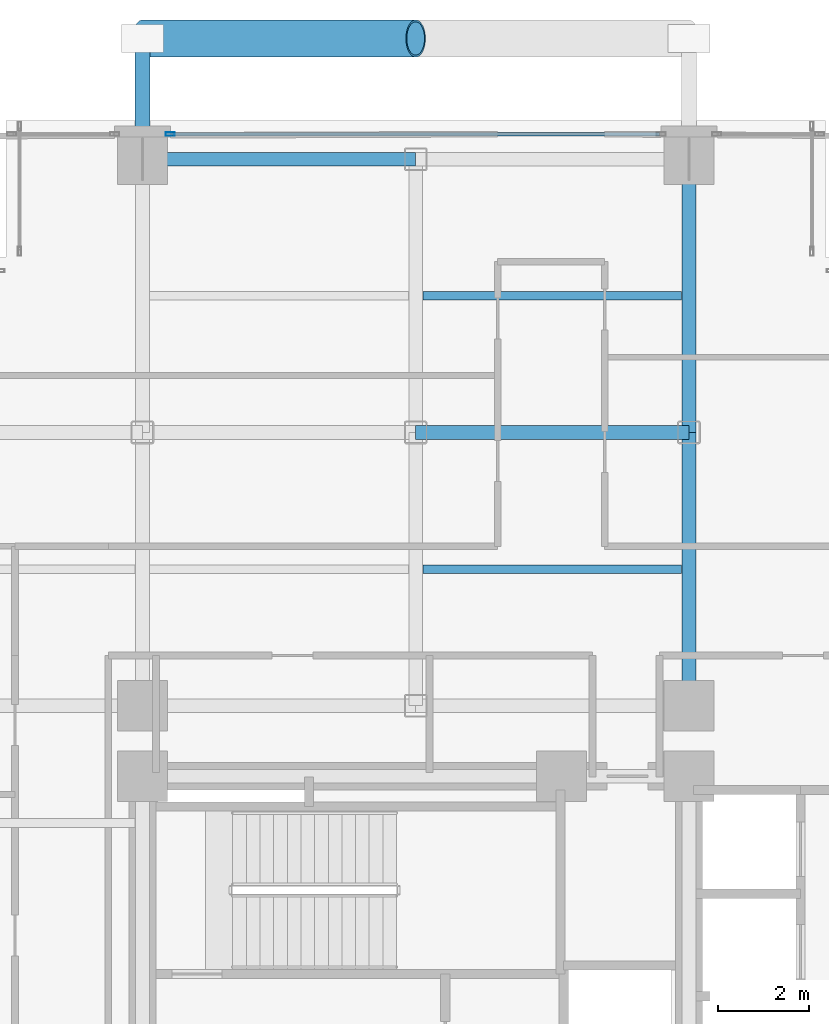
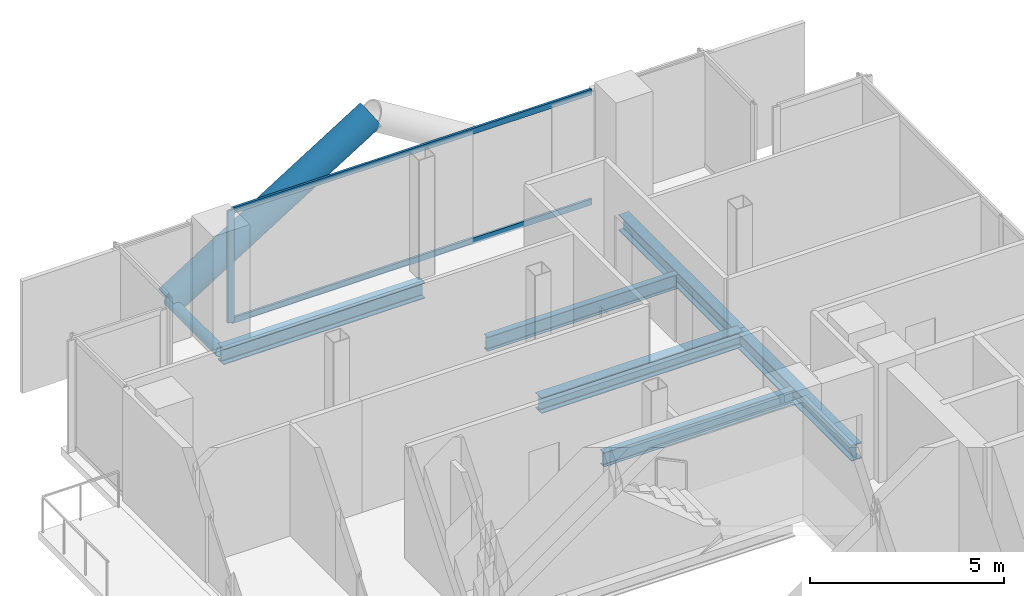
# One storey, part 16 of 28: 6 beams, 5 members, 1 element without a shape of its own.
"""IFC4 building model written with IfcOpenShell, lengths in metres."""

from ifc_helpers import new_model, si_unit, direction, frame, origin, origin_2d, place, context, subcontext, project, spatial, hollow_rectangle, hollow_circle, i_section, extrude, material, layer, layer_set, material_profile, profile_set, type_object, element, aggregate, save


model = new_model("IFC4")

# Units and contexts
model_context = context("Model", 3, precision=1e-05, world=origin(), true_north=direction((0.0, 1.0)))
body_context = subcontext(model_context, "Body", "Model", "MODEL_VIEW")
ifc_project = project(units=[si_unit("LENGTHUNIT", "METRE"), si_unit("AREAUNIT", "SQUARE_METRE"), si_unit("VOLUMEUNIT", "CUBIC_METRE"), si_unit("PLANEANGLEUNIT", "RADIAN"), si_unit("MASSUNIT", "GRAM", prefix="KILO"), si_unit("THERMODYNAMICTEMPERATUREUNIT", "KELVIN"), si_unit("POWERUNIT", "WATT")], contexts=[model_context])

# Site, building, storey
site_placement = place(None, origin())
site = spatial("IfcSite", under=ifc_project, at=site_placement, CompositionType="ELEMENT")
building_placement = place(site_placement, origin())
building = spatial("IfcBuilding", under=site, at=building_placement, Name="Svarakhadi Broadcast Tower", CompositionType="ELEMENT")
storey_placement = place(building_placement, frame((0.0, 0.0, 103.35009765625)))
storey = spatial("IfcBuildingStorey", under=building, at=storey_placement, Name="L24", CompositionType="ELEMENT", Elevation=103.35009765625)

# Beams
ifc_material_1 = material(Name="Steel S355J2 (IS 2062 E350C)", Category="steel")
ifc_material_profile_1 = material_profile(ifc_material_1, i_section(OverallWidth=0.18994140625, OverallDepth=0.449951171875, WebThickness=0.009521484375, FlangeThickness=0.0146484375, FilletRadius=0.02099609375, at=origin_2d()), Name="NPB 450x190x78")
ifc_profile_set_1 = profile_set([ifc_material_profile_1], Name="Steel S355J2 (IS 2062 E350C)")
beam_type_1 = type_object("IfcBeamType", Name="Beam_NPB450", PredefinedType="BEAM", material=ifc_profile_set_1)
for number, where, z_axis, x_axis, name in (
    (1, (12.159912109375, 32.14990234375, -0.4501953125), (1.0, 0.0, 0.0), (0.0, 1.0, 0.0), "L24 Secondary Composite Beam SB014"),
    (2, (12.159912109375, 38.14990234375, -0.4501953125), (1.0, 0.0, 0.0), (0.0, 1.0, 0.0), "L24 Secondary Composite Beam SB015"),
):
    element("IfcBeam", number, at=place(storey_placement, frame(where, z_axis=z_axis, x_axis=x_axis)), inside=storey, type_object=beam_type_1, Name=name, PredefinedType="BEAM", context=body_context, shape_type="SweptSolid", body=[
        extrude(i_section(OverallWidth=0.18994140625, OverallDepth=0.449951171875, WebThickness=0.009521484375, FlangeThickness=0.0146484375, FilletRadius=0.02099609375, at=origin_2d()), origin(), (0.0, 0.0, 1.0), 5.68017578125),
    ])

# Curtain wall, members
ifc_material_2 = material(Name="Anodised Bronze Aluminium AA 6063-T6", Category="aluminium")
ifc_layer = layer(ifc_material_2, 0.199951171875)
ifc_layer_set = layer_set([ifc_layer], Name="Anodised Bronze Aluminium AA 6063-T6")
curtain_wall_type = type_object("IfcCurtainWallType", Name="CW_Sys_03", PredefinedType="NOTDEFINED", material=ifc_layer_set)
curtain_wall_placement = place(storey_placement, origin())
curtain_wall = element("IfcCurtainWall", 3, at=curtain_wall_placement, inside=storey, type_object=curtain_wall_type, Name="L24 Unitised Facade Curtain Wall 06 Bay 2", PredefinedType="NOTDEFINED")
ifc_material_profile_2 = material_profile(ifc_material_2, hollow_rectangle(XDim=0.074951171875, YDim=0.199951171875, WallThickness=0.005615234375, at=origin_2d()), Name="ALU MULLION 200x75x6")
ifc_profile_set_2 = profile_set([ifc_material_profile_2], Name="Anodised Bronze Aluminium AA 6063-T6")
member_type_1 = type_object("IfcMemberType", Name="CW_Sys_03_Mul", PredefinedType="MULLION", material=ifc_profile_set_2)
member_1_placement = place(storey_placement, frame((6.607421875, 41.699951171875, 0.0), z_axis=(0.0, 0.0, 1.0), x_axis=(0.0, 1.0, 0.0)))
member_1 = element("IfcMember", 4, at=member_1_placement, type_object=member_type_1, Name="CW-03 mullion 1", PredefinedType="MULLION", context=body_context, shape_type="SweptSolid", body=[
    extrude(hollow_rectangle(XDim=0.074951171875, YDim=0.199951171875, WallThickness=0.005615234375, at=origin_2d()), origin(), (0.0, 0.0, 1.0), 3.52490234375),
])
ifc_material_profile_3 = material_profile(ifc_material_2, hollow_rectangle(XDim=0.070068359375, YDim=0.18505859375, WallThickness=0.0048828125, at=origin_2d()), Name="ALU TRANSOM 185x70x5")
ifc_profile_set_3 = profile_set([ifc_material_profile_3], Name="Anodised Bronze Aluminium AA 6063-T6")
member_type_2 = type_object("IfcMemberType", Name="CW_Sys_03_Trn", PredefinedType="USERDEFINED", material=ifc_profile_set_3)
member_2_placement = place(storey_placement, frame((6.64501953125, 41.699951171875, 0.034912109375), z_axis=(1.0, 0.0, 0.0), x_axis=(0.0, 1.0, 0.0)))
member_2 = element("IfcMember", 5, at=member_2_placement, type_object=member_type_2, Name="CW-03 transom 1.1", ObjectType="TRANSOM", PredefinedType="USERDEFINED", context=body_context, shape_type="SweptSolid", body=[
    extrude(hollow_rectangle(XDim=0.070068359375, YDim=0.18505859375, WallThickness=0.0048828125, at=origin_2d()), origin(), (0.0, 0.0, 1.0), 10.7099609375),
])
member_3_placement = place(storey_placement, frame((6.64501953125, 41.699951171875, 3.489990234375), z_axis=(1.0, 0.0, 0.0), x_axis=(0.0, 1.0, 0.0)))
member_3 = element("IfcMember", 6, at=member_3_placement, type_object=member_type_2, Name="CW-03 transom 1.2", ObjectType="TRANSOM", PredefinedType="USERDEFINED", context=body_context, shape_type="SweptSolid", body=[
    extrude(hollow_rectangle(XDim=0.070068359375, YDim=0.18505859375, WallThickness=0.0048828125, at=origin_2d()), origin(), (0.0, 0.0, 1.0), 10.7099609375),
])
aggregate(curtain_wall, [member_1, member_2, member_3])

# Members
ifc_material_3 = material(Name="Steel S460ML (IS 2062 E450BR)", Category="steel")
ifc_material_profile_4 = material_profile(ifc_material_3, hollow_circle(Radius=0.406494140625, WallThickness=0.0400390625, at=origin_2d()), Name="CHS 813x40")
ifc_profile_set_4 = profile_set([ifc_material_profile_4], Name="Steel S460ML (IS 2062 E450BR)")
member_type_3 = type_object("IfcMemberType", Name="Exo_Brace_CHS813", PredefinedType="BRACE", material=ifc_profile_set_4)
member_4_placement = place(storey_placement, frame((6.0, 43.800048828125, -0.386962890625), z_axis=(0.847998304005, 0.0, 0.529998940003), x_axis=(0.0, 1.0, 0.0)))
element("IfcMember", 7, at=member_4_placement, inside=storey, type_object=member_type_3, Name="L24 Exposed Bronze Exoskeleton Diagonal N10", PredefinedType="BRACE", context=body_context, shape_type="SweptSolid", body=[
    extrude(hollow_circle(Radius=0.406494140625, WallThickness=0.0400390625, at=origin_2d()), origin(), (0.0, 0.0, 1.0), 7.075439453125),
])
ifc_material_profile_5 = material_profile(ifc_material_3, hollow_circle(Radius=0.161865234375, WallThickness=0.01611328125, at=origin_2d()), Name="CHS 323.9x16")
ifc_profile_set_5 = profile_set([ifc_material_profile_5], Name="Steel S460ML (IS 2062 E450BR)")
member_type_4 = type_object("IfcMemberType", Name="Exo_Radial_Strut_Z2", PredefinedType="STRUT", material=ifc_profile_set_5)
member_5_placement = place(storey_placement, frame((6.0, 43.800048828125, -0.386962890625), z_axis=(0.0, -1.0, 0.0), x_axis=(1.0, 0.0, 0.0)))
element("IfcMember", 8, at=member_5_placement, inside=storey, type_object=member_type_4, Name="L24 Exoskeleton Radial Tie Strut N10", PredefinedType="STRUT", context=body_context, shape_type="SweptSolid", body=[
    extrude(hollow_circle(Radius=0.161865234375, WallThickness=0.01611328125, at=origin_2d()), origin(), (0.0, 0.0, 1.0), 2.650146484375),
])

# Beams
ifc_material_profile_6 = material_profile(ifc_material_1, i_section(OverallWidth=0.300048828125, OverallDepth=0.5, WebThickness=0.014404296875, FlangeThickness=0.028076171875, FilletRadius=0.027099609375, at=origin_2d()), Name="WPB 500x300x187")
ifc_profile_set_6 = profile_set([ifc_material_profile_6], Name="Steel S355J2 (IS 2062 E350C)")
beam_type_2 = type_object("IfcBeamType", Name="Girder_WPB500", PredefinedType="USERDEFINED", material=ifc_profile_set_6)
for number, where, z_axis, x_axis, name in (
    (9, (12.0, 35.14990234375, -0.47509765625), (1.0, 0.0, 0.0), (0.0, 1.0, 0.0), "L24 Primary E-W Girder G037"),
    (10, (6.0, 41.14990234375, -0.47509765625), (1.0, 0.0, 0.0), (0.0, 1.0, 0.0), "L24 Primary E-W Girder G038"),
    (11, (18.0, 29.14990234375, -0.47509765625), (0.0, 1.0, 0.0), (-1.0, 0.0, 0.0), "L24 Primary N-S Girder G060"),
    (12, (18.0, 35.14990234375, -0.47509765625), (0.0, 1.0, 0.0), (-1.0, 0.0, 0.0), "L24 Primary N-S Girder G061"),
):
    element("IfcBeam", number, at=place(storey_placement, frame(where, z_axis=z_axis, x_axis=x_axis)), inside=storey, type_object=beam_type_2, Name=name, ObjectType="GIRDER", PredefinedType="USERDEFINED", context=body_context, shape_type="SweptSolid", body=[
        extrude(i_section(OverallWidth=0.300048828125, OverallDepth=0.5, WebThickness=0.014404296875, FlangeThickness=0.028076171875, FilletRadius=0.027099609375, at=origin_2d()), origin(), (0.0, 0.0, 1.0), 6.0),
    ])

save(model, "model.ifc")
